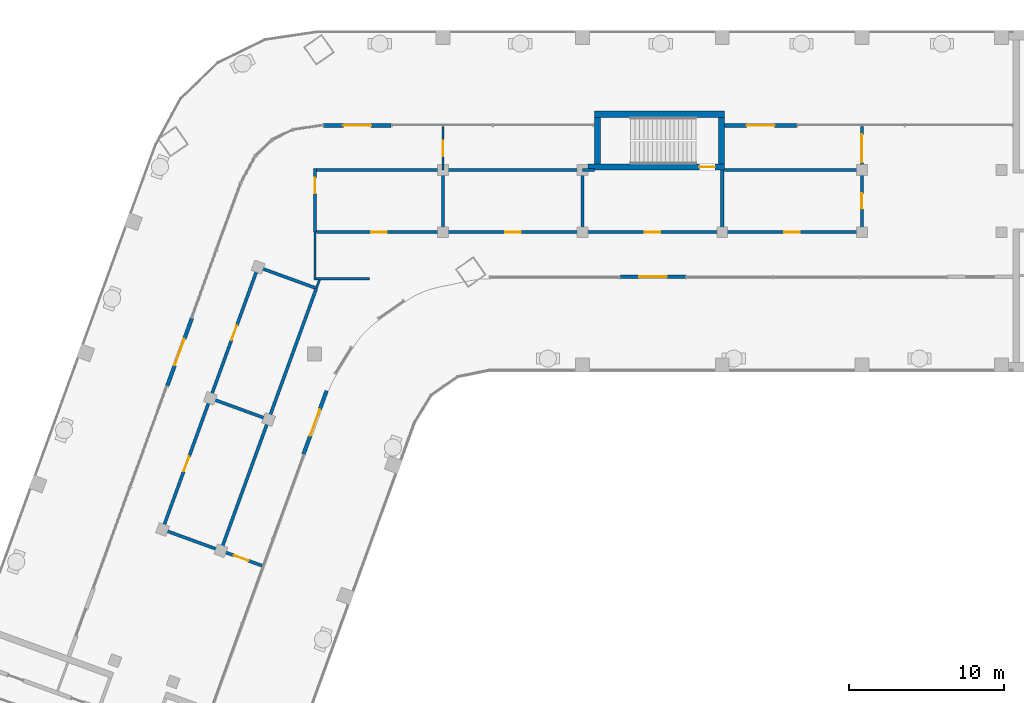
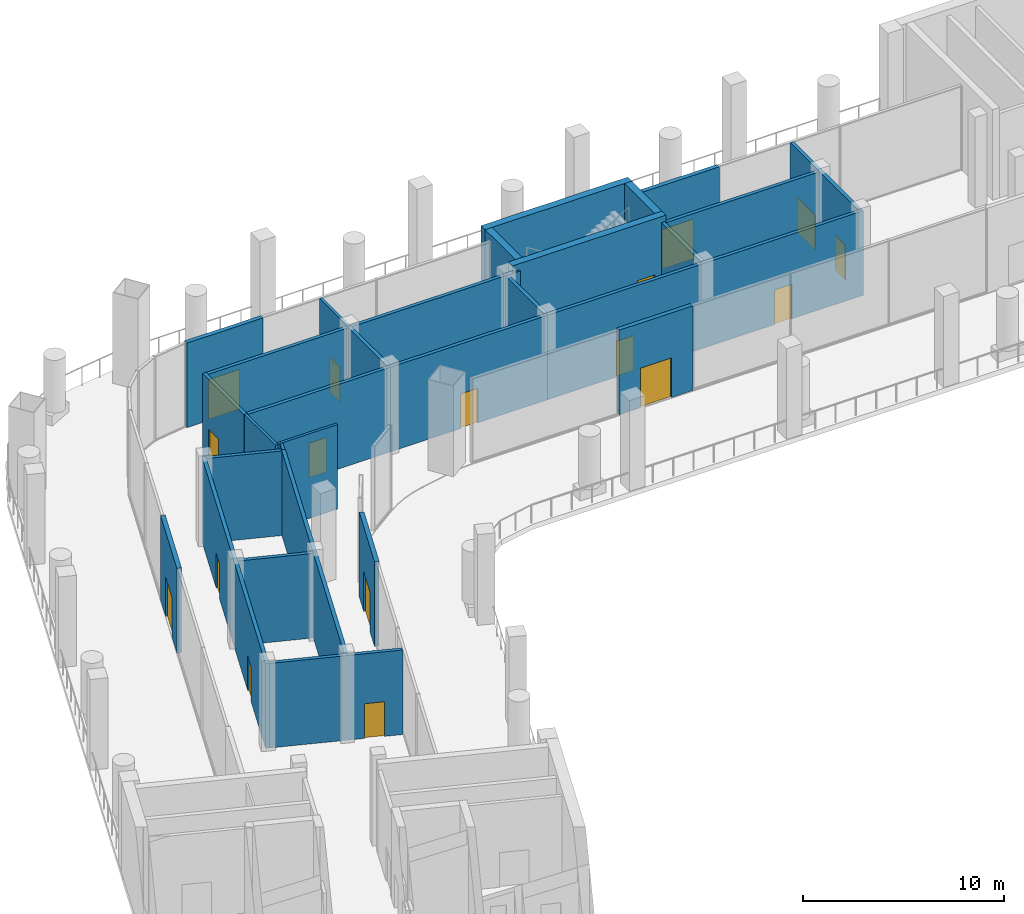
# One storey, part 10 of 19: 31 walls, 17 doors, 17 openings.
"""IFC4 building model written with IfcOpenShell, lengths in metres."""

from ifc_helpers import new_model, si_unit, direction, frame, frame_2d, origin, place, context, subcontext, project, spatial, rectangle, extrude, material, layer, layer_set, type_object, element, fill, save


model = new_model("IFC4")

# Units and contexts
model_context = context("Model", 3, precision=1e-05, world=origin(), true_north=direction((0.0, 1.0)))
body_context = subcontext(model_context, "Body", "Model", "MODEL_VIEW")
ifc_project = project(units=[si_unit("LENGTHUNIT", "METRE"), si_unit("AREAUNIT", "SQUARE_METRE"), si_unit("VOLUMEUNIT", "CUBIC_METRE"), si_unit("PLANEANGLEUNIT", "RADIAN"), si_unit("MASSUNIT", "GRAM", prefix="KILO")], contexts=[model_context])

# Site, building, storey
site_placement = place(None, origin())
site = spatial("IfcSite", under=ifc_project, at=site_placement, CompositionType="ELEMENT")
building_placement = place(site_placement, origin())
building = spatial("IfcBuilding", under=site, at=building_placement, Name="Skarvind Civic Tower", CompositionType="ELEMENT")
storey_placement = place(building_placement, frame((0.0, 0.0, 75.5)))
storey = spatial("IfcBuildingStorey", under=building, at=storey_placement, Name="L17", CompositionType="ELEMENT", Elevation=75.5)

# Wall, opening, door
ifc_material_1 = material(Name="Concrete C80", Category="concrete")
ifc_layer_1 = layer(ifc_material_1, 0.39990234375)
ifc_layer_set_1 = layer_set([ifc_layer_1], Name="Core wall 400 C80")
wall_type_1 = type_object("IfcWallType", Name="Core wall 400 C80", PredefinedType="SHEAR", material=ifc_layer_set_1)
wall_1_placement = place(storey_placement, frame((63.60009765625, 130.199951171875, 0.0), z_axis=(0.0, 0.0, 1.0), x_axis=(1.0, 0.0, 0.0)))
wall_1 = element("IfcWall", 1, at=wall_1_placement, inside=storey, type_object=wall_type_1, Name="Core wall CM inner L17", PredefinedType="SHEAR", context=body_context, shape_type="SweptSolid", body=[
    extrude(rectangle(XDim=8.7998046875, YDim=0.39990234375, at=frame_2d((4.39990234375, 0.0))), origin(), (0.0, 0.0, 1.0), 5.5),
])
opening_1_placement = place(wall_1_placement, frame((7.175048828125, 0.0, 0.0)))
opening_1 = element("IfcOpeningElement", 2, at=opening_1_placement, cuts=wall_1, Name="Opening D-L17-CM-01", PredefinedType="OPENING", context=body_context, shape_type="SweptSolid", body=[
    extrude(rectangle(XDim=1.0, YDim=2.10009765625, at=frame_2d((0.5, 1.050048828125))), frame((0.0, 0.2099609375, 0.0), z_axis=(0.0, -1.0, 0.0), x_axis=(1.0, 0.0, 0.0)), (0.0, 0.0, 1.0), 0.419921875),
])
ifc_material_2 = material(Name="Fire-rated steel door", Category="steel")
door_type_1 = type_object("IfcDoorType", Name="Fire door 1000", OperationType="NOTDEFINED", PredefinedType="DOOR", material=ifc_material_2)
door_1_placement = place(opening_1_placement, origin())
door_1 = element("IfcDoor", 3, at=door_1_placement, inside=storey, type_object=door_type_1, Name="Fire door", OperationType="SINGLE_SWING_LEFT", OverallHeight=2.10009765625, OverallWidth=1.0, PredefinedType="DOOR", context=body_context, shape_type="SweptSolid", body=[
    extrude(rectangle(XDim=1.0, YDim=2.10009765625, at=frame_2d((0.5, 1.050048828125))), frame((0.0, 0.02490234375, 0.0), z_axis=(0.0, -1.0, 0.0), x_axis=(1.0, 0.0, 0.0)), (0.0, 0.0, 1.0), 0.050048828125),
])
fill(opening_1, door_1)

# Walls
wall_2_placement = place(storey_placement, frame((64.0, 133.60009765625, 0.0), z_axis=(0.0, 0.0, 1.0), x_axis=(1.0, 0.0, 0.0)))
element("IfcWall", 4, at=wall_2_placement, inside=storey, type_object=wall_type_1, Name="Core wall CM outer L17", PredefinedType="SHEAR", context=body_context, shape_type="SweptSolid", body=[
    extrude(rectangle(XDim=8.39990234375, YDim=0.39990234375, at=frame_2d((4.199951171875, 0.0))), origin(), (0.0, 0.0, 1.0), 5.5),
])
for number, where, z_axis, x_axis, name in (
    (5, (64.199951171875, 130.39990234375, 0.0), (0.0, 0.0, 1.0), (0.0, 1.0, 0.0), "Core wall CM west L17"),
    (6, (72.199951171875, 130.39990234375, 0.0), (0.0, 0.0, 1.0), (0.0, 1.0, 0.0), "Core wall CM end L17"),
):
    element("IfcWall", number, at=place(storey_placement, frame(where, z_axis=z_axis, x_axis=x_axis)), inside=storey, type_object=wall_type_1, Name=name, PredefinedType="SHEAR", context=body_context, shape_type="SweptSolid", body=[
        extrude(rectangle(XDim=3.0, YDim=0.39990234375, at=frame_2d((1.5, 0.0))), origin(), (0.0, 0.0, 1.0), 5.5),
    ])
ifc_material_3 = material(Name="Fire-rated blockwork wall, plastered", Category="masonry")
ifc_layer_2 = layer(ifc_material_3, 0.199951171875)
ifc_layer_set_2 = layer_set([ifc_layer_2], Name="FIRE WALL 200 EI 120")
wall_type_2 = type_object("IfcWallType", Name="FIRE WALL 200 EI 120", PredefinedType="PARTITIONING", material=ifc_layer_set_2)
wall_3_placement = place(storey_placement, frame((54.25, 126.10009765625, 0.0), z_axis=(0.0, 0.0, 1.0), x_axis=(0.0, 1.0, 0.0)))
element("IfcWall", 7, at=wall_3_placement, inside=storey, type_object=wall_type_2, Name="Separator partition L17 013", PredefinedType="PARTITIONING", context=body_context, shape_type="SweptSolid", body=[
    extrude(rectangle(XDim=3.869873046875, YDim=0.199951171875, at=frame_2d((1.93505859375, 0.0))), origin(), (0.0, 0.0, 1.0), 5.125),
])

# Wall, opening, door
wall_4_placement = place(storey_placement, frame((54.25, 126.0, 0.0), z_axis=(0.0, 0.0, 1.0), x_axis=(1.0, 0.0, 0.0)))
wall_4 = element("IfcWall", 8, at=wall_4_placement, inside=storey, type_object=wall_type_2, Name="Separator partition L17 014", PredefinedType="PARTITIONING", context=body_context, shape_type="SweptSolid", body=[
    extrude(rectangle(XDim=9.0, YDim=0.199951171875, at=frame_2d((4.5, 0.0))), origin(), (0.0, 0.0, 1.0), 5.125),
])
opening_2_placement = place(wall_4_placement, frame((4.0, 0.0, 0.0)))
opening_2 = element("IfcOpeningElement", 9, at=opening_2_placement, cuts=wall_4, Name="Opening L17-D207", PredefinedType="OPENING", context=body_context, shape_type="SweptSolid", body=[
    extrude(rectangle(XDim=1.0, YDim=2.10009765625, at=frame_2d((0.5, 1.050048828125))), frame((0.0, 0.10986328125, 0.0), z_axis=(0.0, -1.0, 0.0), x_axis=(1.0, 0.0, 0.0)), (0.0, 0.0, 1.0), 0.219970703125),
])
ifc_material_4 = material(Name="Painted steel fire door leaf", Category="steel")
door_type_2 = type_object("IfcDoorType", Name="FIRE DOOR 1000X2100 STEEL", OperationType="NOTDEFINED", PredefinedType="DOOR", material=ifc_material_4)
door_2_placement = place(opening_2_placement, origin())
door_2 = element("IfcDoor", 10, at=door_2_placement, inside=storey, type_object=door_type_2, Name="FIRE DOOR", OperationType="SINGLE_SWING_LEFT", OverallHeight=2.10009765625, OverallWidth=1.0, PredefinedType="DOOR", context=body_context, shape_type="SweptSolid", body=[
    extrude(rectangle(XDim=1.0, YDim=2.10009765625, at=frame_2d((0.5, 1.050048828125))), frame((0.0, 0.02490234375, 0.0), z_axis=(0.0, -1.0, 0.0), x_axis=(1.0, 0.0, 0.0)), (0.0, 0.0, 1.0), 0.050048828125),
])
fill(opening_2, door_2)

# Walls
wall_5_placement = place(storey_placement, frame((54.25, 130.0, 0.0), z_axis=(0.0, 0.0, 1.0), x_axis=(1.0, 0.0, 0.0)))
element("IfcWall", 11, at=wall_5_placement, inside=storey, type_object=wall_type_2, Name="Separator partition L17 016", PredefinedType="PARTITIONING", context=body_context, shape_type="SweptSolid", body=[
    extrude(rectangle(XDim=9.0, YDim=0.199951171875, at=frame_2d((4.5, 0.0))), origin(), (0.0, 0.0, 1.0), 5.125),
])
wall_6_placement = place(storey_placement, frame((63.25, 126.10009765625, 0.0), z_axis=(0.0, 0.0, 1.0), x_axis=(0.0, 1.0, 0.0)))
element("IfcWall", 12, at=wall_6_placement, inside=storey, type_object=wall_type_2, Name="Separator partition L17 017", PredefinedType="PARTITIONING", context=body_context, shape_type="SweptSolid", body=[
    extrude(rectangle(XDim=3.7998046875, YDim=0.199951171875, at=frame_2d((1.89990234375, 0.0))), origin(), (0.0, 0.0, 1.0), 5.125),
])

# Wall, openings, doors
ifc_layer_3 = layer(ifc_material_3, 0.199951171875)
ifc_layer_set_3 = layer_set([ifc_layer_3], Name="FIRE WALL 200 EI 60")
wall_type_3 = type_object("IfcWallType", Name="FIRE WALL 200 EI 60", PredefinedType="PARTITIONING", material=ifc_layer_set_3)
wall_7_placement = place(storey_placement, frame((42.35888671875, 123.844970703125, 0.0), z_axis=(0.0, 0.0, 1.0), x_axis=(-0.341966001916, -0.939712324881, 0.0)))
wall_7 = element("IfcWall", 13, at=wall_7_placement, inside=storey, type_object=wall_type_3, Name="Separator partition L17 001", PredefinedType="PARTITIONING", context=body_context, shape_type="SweptSolid", body=[
    extrude(rectangle(XDim=18.2001953125, YDim=0.199951171875, at=frame_2d((9.10009765625, 0.0))), origin(), (0.0, 0.0, 1.0), 5.125),
])
opening_3_placement = place(wall_7_placement, frame((13.10107421875, 0.0, 0.0)))
opening_3 = element("IfcOpeningElement", 14, at=opening_3_placement, cuts=wall_7, Name="Opening L17-D201", PredefinedType="OPENING", context=body_context, shape_type="SweptSolid", body=[
    extrude(rectangle(XDim=1.0, YDim=2.10009765625, at=frame_2d((0.5, 1.050048828125))), frame((0.0, 0.10986328125, 0.0), z_axis=(0.0, -1.0, 0.0), x_axis=(1.0, 0.0, 0.0)), (0.0, 0.0, 1.0), 0.219970703125),
])
opening_4_placement = place(wall_7_placement, frame((4.10009765625, 0.0, 0.0)))
opening_4 = element("IfcOpeningElement", 15, at=opening_4_placement, cuts=wall_7, Name="Opening L17-D202", PredefinedType="OPENING", context=body_context, shape_type="SweptSolid", body=[
    extrude(rectangle(XDim=1.0, YDim=2.10009765625, at=frame_2d((0.5, 1.050048828125))), frame((0.0, 0.10986328125, 0.0), z_axis=(0.0, -1.0, 0.0), x_axis=(1.0, 0.0, 0.0)), (0.0, 0.0, 1.0), 0.219970703125),
])
door_3_placement = place(opening_3_placement, origin())
door_3 = element("IfcDoor", 16, at=door_3_placement, inside=storey, type_object=door_type_2, Name="FIRE DOOR", OperationType="SINGLE_SWING_LEFT", OverallHeight=2.10009765625, OverallWidth=1.0, PredefinedType="DOOR", context=body_context, shape_type="SweptSolid", body=[
    extrude(rectangle(XDim=1.0, YDim=2.10009765625, at=frame_2d((0.5, 1.050048828125))), frame((0.0, 0.02490234375, 0.0), z_axis=(0.0, -1.0, 0.0), x_axis=(1.0, 0.0, 0.0)), (0.0, 0.0, 1.0), 0.050048828125),
])
fill(opening_3, door_3)
door_4_placement = place(opening_4_placement, origin())
door_4 = element("IfcDoor", 17, at=door_4_placement, inside=storey, type_object=door_type_2, Name="FIRE DOOR", OperationType="SINGLE_SWING_RIGHT", OverallHeight=2.10009765625, OverallWidth=1.0, PredefinedType="DOOR", context=body_context, shape_type="SweptSolid", body=[
    extrude(rectangle(XDim=1.0, YDim=2.10009765625, at=frame_2d((0.5, 1.050048828125))), frame((0.0, 0.02490234375, 0.0), z_axis=(0.0, -1.0, 0.0), x_axis=(1.0, 0.0, 0.0)), (0.0, 0.0, 1.0), 0.050048828125),
])
fill(opening_4, door_4)

# Wall, opening, door
wall_8_placement = place(storey_placement, frame((36.262939453125, 106.802001953125, 0.0), z_axis=(0.0, 0.0, 1.0), x_axis=(0.939692599749, -0.342020201123, 0.0)))
wall_8 = element("IfcWall", 18, at=wall_8_placement, inside=storey, type_object=wall_type_3, Name="Separator partition L17 002", PredefinedType="PARTITIONING", context=body_context, shape_type="SweptSolid", body=[
    extrude(rectangle(XDim=6.71923828125, YDim=0.199951171875, at=frame_2d((3.359619140625, 0.0))), origin(), (0.0, 0.0, 1.0), 5.125),
])
opening_5_placement = place(wall_8_placement, frame((4.800048828125, 0.0, 0.0)))
opening_5 = element("IfcOpeningElement", 19, at=opening_5_placement, cuts=wall_8, Name="Opening L17-D203", PredefinedType="OPENING", context=body_context, shape_type="SweptSolid", body=[
    extrude(rectangle(XDim=1.0, YDim=2.10009765625, at=frame_2d((0.5, 1.050048828125))), frame((0.0, 0.10986328125, 0.0), z_axis=(0.0, -1.0, 0.0), x_axis=(1.0, 0.0, 0.0)), (0.0, 0.0, 1.0), 0.219970703125),
])
door_5_placement = place(opening_5_placement, origin())
door_5 = element("IfcDoor", 20, at=door_5_placement, inside=storey, type_object=door_type_2, Name="FIRE DOOR", OperationType="SINGLE_SWING_LEFT", OverallHeight=2.10009765625, OverallWidth=1.0, PredefinedType="DOOR", context=body_context, shape_type="SweptSolid", body=[
    extrude(rectangle(XDim=1.0, YDim=2.10009765625, at=frame_2d((0.5, 1.050048828125))), frame((0.0, 0.02490234375, 0.0), z_axis=(0.0, -1.0, 0.0), x_axis=(1.0, 0.0, 0.0)), (0.0, 0.0, 1.0), 0.050048828125),
])
fill(opening_5, door_5)

# Walls
wall_9_placement = place(storey_placement, frame((39.341064453125, 115.259033203125, 0.0), z_axis=(0.0, 0.0, 1.0), x_axis=(0.939667689469, -0.342088633789, 0.0)))
element("IfcWall", 21, at=wall_9_placement, inside=storey, type_object=wall_type_3, Name="Separator partition L17 003", PredefinedType="PARTITIONING", context=body_context, shape_type="SweptSolid", body=[
    extrude(rectangle(XDim=3.80029296875, YDim=0.199951171875, at=frame_2d((1.900146484375, 0.0))), origin(), (0.0, 0.0, 1.0), 5.125),
])
wall_10_placement = place(storey_placement, frame((39.9609375, 105.56201171875, 0.0), z_axis=(0.0, 0.0, 1.0), x_axis=(0.342146086239, 0.939646771756, 0.0)))
element("IfcWall", 22, at=wall_10_placement, inside=storey, type_object=wall_type_3, Name="Separator partition L17 004", PredefinedType="PARTITIONING", context=body_context, shape_type="SweptSolid", body=[
    extrude(rectangle(XDim=8.900146484375, YDim=0.199951171875, at=frame_2d((4.4501953125, 0.0))), origin(), (0.0, 0.0, 1.0), 5.125),
])
wall_11_placement = place(storey_placement, frame((42.4189453125, 123.717041015625, 0.0), z_axis=(0.0, 0.0, 1.0), x_axis=(0.939667689469, -0.342088633789, 0.0)))
element("IfcWall", 23, at=wall_11_placement, inside=storey, type_object=wall_type_3, Name="Separator partition L17 005", PredefinedType="PARTITIONING", context=body_context, shape_type="SweptSolid", body=[
    extrude(rectangle(XDim=3.80029296875, YDim=0.199951171875, at=frame_2d((1.900146484375, 0.0))), origin(), (0.0, 0.0, 1.0), 5.125),
])
wall_12_placement = place(storey_placement, frame((43.006103515625, 113.925048828125, 0.0), z_axis=(0.0, 0.0, 1.0), x_axis=(0.341963022424, 0.939713409128, 0.0)))
element("IfcWall", 24, at=wall_12_placement, inside=storey, type_object=wall_type_3, Name="Separator partition L17 006", PredefinedType="PARTITIONING", context=body_context, shape_type="SweptSolid", body=[
    extrude(rectangle(XDim=9.000732421875, YDim=0.199951171875, at=frame_2d((4.50048828125, 0.0))), origin(), (0.0, 0.0, 1.0), 5.125),
])

# Wall, opening, door
wall_13_placement = place(storey_placement, frame((46.0, 130.10009765625, 0.0), z_axis=(0.0, 0.0, 1.0), x_axis=(0.0, -1.0, 0.0)))
wall_13 = element("IfcWall", 25, at=wall_13_placement, inside=storey, type_object=wall_type_3, Name="Separator partition L17 009", PredefinedType="PARTITIONING", context=body_context, shape_type="SweptSolid", body=[
    extrude(rectangle(XDim=4.10009765625, YDim=0.199951171875, at=frame_2d((2.050048828125, 0.0))), origin(), (0.0, 0.0, 1.0), 5.125),
])
opening_6_placement = place(wall_13_placement, frame((0.60205078125, 0.0, 0.0)))
opening_6 = element("IfcOpeningElement", 26, at=opening_6_placement, cuts=wall_13, Name="Opening L17-D204", PredefinedType="OPENING", context=body_context, shape_type="SweptSolid", body=[
    extrude(rectangle(XDim=1.0, YDim=2.10009765625, at=frame_2d((0.5, 1.050048828125))), frame((0.0, 0.10986328125, 0.0), z_axis=(0.0, -1.0, 0.0), x_axis=(1.0, 0.0, 0.0)), (0.0, 0.0, 1.0), 0.219970703125),
])
door_6_placement = place(opening_6_placement, origin())
door_6 = element("IfcDoor", 27, at=door_6_placement, inside=storey, type_object=door_type_2, Name="FIRE DOOR", OperationType="SINGLE_SWING_RIGHT", OverallHeight=2.10009765625, OverallWidth=1.0, PredefinedType="DOOR", context=body_context, shape_type="SweptSolid", body=[
    extrude(rectangle(XDim=1.0, YDim=2.10009765625, at=frame_2d((0.5, 1.050048828125))), frame((0.0, 0.02490234375, 0.0), z_axis=(0.0, -1.0, 0.0), x_axis=(1.0, 0.0, 0.0)), (0.0, 0.0, 1.0), 0.050048828125),
])
fill(opening_6, door_6)

wall_14_placement = place(storey_placement, frame((46.10009765625, 126.0, 0.0), z_axis=(0.0, 0.0, 1.0), x_axis=(1.0, 0.0, 0.0)))
wall_14 = element("IfcWall", 28, at=wall_14_placement, inside=storey, type_object=wall_type_3, Name="Separator partition L17 010", PredefinedType="PARTITIONING", context=body_context, shape_type="SweptSolid", body=[
    extrude(rectangle(XDim=8.14990234375, YDim=0.199951171875, at=frame_2d((4.074951171875, 0.0))), origin(), (0.0, 0.0, 1.0), 5.125),
])
opening_7_placement = place(wall_14_placement, frame((3.52490234375, 0.0, 0.0)))
opening_7 = element("IfcOpeningElement", 29, at=opening_7_placement, cuts=wall_14, Name="Opening L17-D205", PredefinedType="OPENING", context=body_context, shape_type="SweptSolid", body=[
    extrude(rectangle(XDim=1.0, YDim=2.10009765625, at=frame_2d((0.5, 1.050048828125))), frame((0.0, 0.10986328125, 0.0), z_axis=(0.0, -1.0, 0.0), x_axis=(1.0, 0.0, 0.0)), (0.0, 0.0, 1.0), 0.219970703125),
])
door_7_placement = place(opening_7_placement, origin())
door_7 = element("IfcDoor", 30, at=door_7_placement, inside=storey, type_object=door_type_2, Name="FIRE DOOR", OperationType="SINGLE_SWING_RIGHT", OverallHeight=2.10009765625, OverallWidth=1.0, PredefinedType="DOOR", context=body_context, shape_type="SweptSolid", body=[
    extrude(rectangle(XDim=1.0, YDim=2.10009765625, at=frame_2d((0.5, 1.050048828125))), frame((0.0, 0.02490234375, 0.0), z_axis=(0.0, -1.0, 0.0), x_axis=(1.0, 0.0, 0.0)), (0.0, 0.0, 1.0), 0.050048828125),
])
fill(opening_7, door_7)

# Wall
wall_15_placement = place(storey_placement, frame((46.10009765625, 130.0, 0.0), z_axis=(0.0, 0.0, 1.0), x_axis=(1.0, 0.0, 0.0)))
element("IfcWall", 31, at=wall_15_placement, inside=storey, type_object=wall_type_3, Name="Separator partition L17 011", PredefinedType="PARTITIONING", context=body_context, shape_type="SweptSolid", body=[
    extrude(rectangle(XDim=8.14990234375, YDim=0.199951171875, at=frame_2d((4.074951171875, 0.0))), origin(), (0.0, 0.0, 1.0), 5.125),
])

# Wall, openings, doors
wall_16_placement = place(storey_placement, frame((63.25, 126.0, 0.0), z_axis=(0.0, 0.0, 1.0), x_axis=(1.0, 0.0, 0.0)))
wall_16 = element("IfcWall", 32, at=wall_16_placement, inside=storey, type_object=wall_type_3, Name="Separator partition L17 018", PredefinedType="PARTITIONING", context=body_context, shape_type="SweptSolid", body=[
    extrude(rectangle(XDim=18.10009765625, YDim=0.199951171875, at=frame_2d((9.050048828125, 0.0))), origin(), (0.0, 0.0, 1.0), 5.125),
])
opening_8_placement = place(wall_16_placement, frame((4.0, 0.0, 0.0)))
opening_8 = element("IfcOpeningElement", 33, at=opening_8_placement, cuts=wall_16, Name="Opening L17-D208", PredefinedType="OPENING", context=body_context, shape_type="SweptSolid", body=[
    extrude(rectangle(XDim=1.0, YDim=2.10009765625, at=frame_2d((0.5, 1.050048828125))), frame((0.0, 0.10986328125, 0.0), z_axis=(0.0, -1.0, 0.0), x_axis=(1.0, 0.0, 0.0)), (0.0, 0.0, 1.0), 0.219970703125),
])
opening_9_placement = place(wall_16_placement, frame((13.0, 0.0, 0.0)))
opening_9 = element("IfcOpeningElement", 34, at=opening_9_placement, cuts=wall_16, Name="Opening L17-D209", PredefinedType="OPENING", context=body_context, shape_type="SweptSolid", body=[
    extrude(rectangle(XDim=1.0, YDim=2.10009765625, at=frame_2d((0.5, 1.050048828125))), frame((0.0, 0.10986328125, 0.0), z_axis=(0.0, -1.0, 0.0), x_axis=(1.0, 0.0, 0.0)), (0.0, 0.0, 1.0), 0.219970703125),
])
door_8_placement = place(opening_8_placement, origin())
door_8 = element("IfcDoor", 35, at=door_8_placement, inside=storey, type_object=door_type_2, Name="FIRE DOOR", OperationType="SINGLE_SWING_RIGHT", OverallHeight=2.10009765625, OverallWidth=1.0, PredefinedType="DOOR", context=body_context, shape_type="SweptSolid", body=[
    extrude(rectangle(XDim=1.0, YDim=2.10009765625, at=frame_2d((0.5, 1.050048828125))), frame((0.0, 0.02490234375, 0.0), z_axis=(0.0, -1.0, 0.0), x_axis=(1.0, 0.0, 0.0)), (0.0, 0.0, 1.0), 0.050048828125),
])
fill(opening_8, door_8)
door_9_placement = place(opening_9_placement, origin())
door_9 = element("IfcDoor", 36, at=door_9_placement, inside=storey, type_object=door_type_2, Name="FIRE DOOR", OperationType="SINGLE_SWING_LEFT", OverallHeight=2.10009765625, OverallWidth=1.0, PredefinedType="DOOR", context=body_context, shape_type="SweptSolid", body=[
    extrude(rectangle(XDim=1.0, YDim=2.10009765625, at=frame_2d((0.5, 1.050048828125))), frame((0.0, 0.02490234375, 0.0), z_axis=(0.0, -1.0, 0.0), x_axis=(1.0, 0.0, 0.0)), (0.0, 0.0, 1.0), 0.050048828125),
])
fill(opening_9, door_9)

# Walls
wall_17_placement = place(storey_placement, frame((63.25, 130.0, 0.0), z_axis=(0.0, 0.0, 1.0), x_axis=(1.0, 0.0, 0.0)))
element("IfcWall", 37, at=wall_17_placement, inside=storey, type_object=wall_type_3, Name="Separator partition L17 019", PredefinedType="PARTITIONING", context=body_context, shape_type="SweptSolid", body=[
    extrude(rectangle(XDim=0.75, YDim=0.199951171875, at=frame_2d((0.375, 0.0))), origin(), (0.0, 0.0, 1.0), 5.125),
])
wall_18_placement = place(storey_placement, frame((72.25, 126.10009765625, 0.0), z_axis=(0.0, 0.0, 1.0), x_axis=(0.0, 1.0, 0.0)))
element("IfcWall", 38, at=wall_18_placement, inside=storey, type_object=wall_type_3, Name="Separator partition L17 020", PredefinedType="PARTITIONING", context=body_context, shape_type="SweptSolid", body=[
    extrude(rectangle(XDim=3.89990234375, YDim=0.199951171875, at=frame_2d((1.949951171875, 0.0))), origin(), (0.0, 0.0, 1.0), 5.125),
])
wall_19_placement = place(storey_placement, frame((72.39990234375, 130.0, 0.0), z_axis=(0.0, 0.0, 1.0), x_axis=(1.0, 0.0, 0.0)))
element("IfcWall", 39, at=wall_19_placement, inside=storey, type_object=wall_type_3, Name="Separator partition L17 021", PredefinedType="PARTITIONING", context=body_context, shape_type="SweptSolid", body=[
    extrude(rectangle(XDim=8.75, YDim=0.199951171875, at=frame_2d((4.375, 0.0))), origin(), (0.0, 0.0, 1.0), 5.125),
])

# Wall, openings, doors
wall_20_placement = place(storey_placement, frame((81.25, 126.10009765625, 0.0), z_axis=(0.0, 0.0, 1.0), x_axis=(0.0, 1.0, 0.0)))
wall_20 = element("IfcWall", 40, at=wall_20_placement, inside=storey, type_object=wall_type_3, Name="Separator partition L17 022", PredefinedType="PARTITIONING", context=body_context, shape_type="SweptSolid", body=[
    extrude(rectangle(XDim=6.719970703125, YDim=0.199951171875, at=frame_2d((3.35986328125, 0.0))), origin(), (0.0, 0.0, 1.0), 5.125),
])
opening_10_placement = place(wall_20_placement, frame((1.39990234375, 0.0, 0.0)))
opening_10 = element("IfcOpeningElement", 41, at=opening_10_placement, cuts=wall_20, Name="Opening L17-D210", PredefinedType="OPENING", context=body_context, shape_type="SweptSolid", body=[
    extrude(rectangle(XDim=1.0, YDim=2.10009765625, at=frame_2d((0.5, 1.050048828125))), frame((0.0, 0.10986328125, 0.0), z_axis=(0.0, -1.0, 0.0), x_axis=(1.0, 0.0, 0.0)), (0.0, 0.0, 1.0), 0.219970703125),
])
opening_11_placement = place(wall_20_placement, frame((4.39990234375, 0.0, 0.0)))
opening_11 = element("IfcOpeningElement", 42, at=opening_11_placement, cuts=wall_20, Name="Opening L17-D211", PredefinedType="OPENING", context=body_context, shape_type="SweptSolid", body=[
    extrude(rectangle(XDim=1.800048828125, YDim=2.10009765625, at=frame_2d((0.89990234375, 1.050048828125))), frame((0.0, 0.10986328125, 0.0), z_axis=(0.0, -1.0, 0.0), x_axis=(1.0, 0.0, 0.0)), (0.0, 0.0, 1.0), 0.219970703125),
])
door_10_placement = place(opening_10_placement, origin())
door_10 = element("IfcDoor", 43, at=door_10_placement, inside=storey, type_object=door_type_2, Name="FIRE DOOR", OperationType="SINGLE_SWING_RIGHT", OverallHeight=2.10009765625, OverallWidth=1.0, PredefinedType="DOOR", context=body_context, shape_type="SweptSolid", body=[
    extrude(rectangle(XDim=1.0, YDim=2.10009765625, at=frame_2d((0.5, 1.050048828125))), frame((0.0, 0.02490234375, 0.0), z_axis=(0.0, -1.0, 0.0), x_axis=(1.0, 0.0, 0.0)), (0.0, 0.0, 1.0), 0.050048828125),
])
fill(opening_10, door_10)
door_type_3 = type_object("IfcDoorType", Name="FIRE DOOR 1800X2100 DOUBLE STEEL", OperationType="NOTDEFINED", PredefinedType="DOOR", material=ifc_material_4)
door_11_placement = place(opening_11_placement, origin())
door_11 = element("IfcDoor", 44, at=door_11_placement, inside=storey, type_object=door_type_3, Name="FIRE DOOR", OperationType="DOUBLE_DOOR_SINGLE_SWING", OverallHeight=2.10009765625, OverallWidth=1.800048828125, PredefinedType="DOOR", context=body_context, shape_type="SweptSolid", body=[
    extrude(rectangle(XDim=1.800048828125, YDim=2.10009765625, at=frame_2d((0.89990234375, 1.050048828125))), frame((0.0, 0.02490234375, 0.0), z_axis=(0.0, -1.0, 0.0), x_axis=(1.0, 0.0, 0.0)), (0.0, 0.0, 1.0), 0.050048828125),
])
fill(opening_11, door_11)

# Walls
ifc_material_5 = material(Name="Plasterboard partition on steel studs", Category="steel")
ifc_layer_4 = layer(ifc_material_5, 0.14990234375)
ifc_layer_set_4 = layer_set([ifc_layer_4], Name="PARTITION 150")
wall_type_4 = type_object("IfcWallType", Name="PARTITION 150", PredefinedType="PARTITIONING", material=ifc_layer_set_4)
wall_21_placement = place(storey_placement, frame((46.0, 122.925048828125, 0.0), z_axis=(0.0, 0.0, 1.0), x_axis=(0.0, 1.0, 0.0)))
element("IfcWall", 45, at=wall_21_placement, inside=storey, type_object=wall_type_4, Name="Separator partition L17 007", PredefinedType="PARTITIONING", context=body_context, shape_type="SweptSolid", body=[
    extrude(rectangle(XDim=3.074951171875, YDim=0.14990234375, at=frame_2d((1.53759765625, 0.0))), origin(), (0.0, 0.0, 1.0), 5.125),
])
wall_22_placement = place(storey_placement, frame((46.074951171875, 123.0, 0.0), z_axis=(0.0, 0.0, 1.0), x_axis=(1.0, 0.0, 0.0)))
element("IfcWall", 46, at=wall_22_placement, inside=storey, type_object=wall_type_4, Name="Separator partition L17 008", PredefinedType="PARTITIONING", context=body_context, shape_type="SweptSolid", body=[
    extrude(rectangle(XDim=3.426025390625, YDim=0.14990234375, at=frame_2d((1.712890625, 0.0))), origin(), (0.0, 0.0, 1.0), 5.125),
])
wall_23_placement = place(storey_placement, frame((46.083984375, 122.383056640625, 0.0), z_axis=(0.0, 0.0, 1.0), x_axis=(0.343135526399, 0.939285904569, 0.0)))
element("IfcWall", 47, at=wall_23_placement, inside=storey, type_object=wall_type_4, Name="Separator partition L17 012", PredefinedType="PARTITIONING", context=body_context, shape_type="SweptSolid", body=[
    extrude(rectangle(XDim=0.576904296875, YDim=0.14990234375, at=frame_2d((0.28857421875, 0.0))), origin(), (0.0, 0.0, 1.0), 5.125),
])

# Wall, opening, door
wall_24_placement = place(storey_placement, frame((54.25, 130.0, 0.0), z_axis=(0.0, 0.0, 1.0), x_axis=(0.0, 1.0, 0.0)))
wall_24 = element("IfcWall", 48, at=wall_24_placement, inside=storey, type_object=wall_type_4, Name="Separator partition L17 015", PredefinedType="PARTITIONING", context=body_context, shape_type="SweptSolid", body=[
    extrude(rectangle(XDim=2.820068359375, YDim=0.14990234375, at=frame_2d((1.41015625, 0.0))), origin(), (0.0, 0.0, 1.0), 5.125),
])
opening_12_placement = place(wall_24_placement, frame((0.89990234375, 0.0, 0.0)))
opening_12 = element("IfcOpeningElement", 49, at=opening_12_placement, cuts=wall_24, Name="Opening L17-D206", PredefinedType="OPENING", context=body_context, shape_type="SweptSolid", body=[
    extrude(rectangle(XDim=1.0, YDim=2.10009765625, at=frame_2d((0.5, 1.050048828125))), frame((0.0, 0.0849609375, 0.0), z_axis=(0.0, -1.0, 0.0), x_axis=(1.0, 0.0, 0.0)), (0.0, 0.0, 1.0), 0.169921875),
])
ifc_material_6 = material(Name="Timber veneer door leaf", Category="wood")
door_type_4 = type_object("IfcDoorType", Name="DOOR 1000X2100 TIMBER", OperationType="NOTDEFINED", PredefinedType="DOOR", material=ifc_material_6)
door_12_placement = place(opening_12_placement, origin())
door_12 = element("IfcDoor", 50, at=door_12_placement, inside=storey, type_object=door_type_4, Name="DOOR DOOR", OperationType="SINGLE_SWING_LEFT", OverallHeight=2.10009765625, OverallWidth=1.0, PredefinedType="DOOR", context=body_context, shape_type="SweptSolid", body=[
    extrude(rectangle(XDim=1.0, YDim=2.10009765625, at=frame_2d((0.5, 1.050048828125))), frame((0.0, 0.02490234375, 0.0), z_axis=(0.0, -1.0, 0.0), x_axis=(1.0, 0.0, 0.0)), (0.0, 0.0, 1.0), 0.050048828125),
])
fill(opening_12, door_12)

ifc_material_7 = material(Name="Limestone masonry cladding on insulated backing", Category="masonry")
ifc_layer_5 = layer(ifc_material_7, 0.239990234375)
ifc_layer_set_5 = layer_set([ifc_layer_5], Name="WX4 STONE DOOR PIER WALL 240")
wall_type_5 = type_object("IfcWallType", Name="WX4 STONE DOOR PIER WALL 240", PredefinedType="SOLIDWALL", material=ifc_layer_set_5)
wall_25_placement = place(storey_placement, frame((46.7431640625, 115.7734375, 0.0), z_axis=(0.0, 0.0, 1.0), x_axis=(-0.342004232448, -0.939698411719, 0.0)))
wall_25 = element("IfcWall", 51, at=wall_25_placement, inside=storey, type_object=wall_type_5, Name="STONE DOOR PIER WALL", PredefinedType="SOLIDWALL", context=body_context, shape_type="SweptSolid", body=[
    extrude(rectangle(XDim=4.35302734375, YDim=0.239990234375, at=frame_2d((2.176513671875, 0.0))), origin(), (0.0, 0.0, 1.0), 5.125),
])
opening_13_placement = place(wall_25_placement, frame((1.276611328125, 0.0, 0.0)))
opening_13 = element("IfcOpeningElement", 52, at=opening_13_placement, cuts=wall_25, Name="Opening DX3", PredefinedType="OPENING", context=body_context, shape_type="SweptSolid", body=[
    extrude(rectangle(XDim=1.800048828125, YDim=2.39990234375, at=frame_2d((0.89990234375, 1.199951171875))), frame((0.0, 0.1298828125, 0.0), z_axis=(0.0, -1.0, 0.0), x_axis=(1.0, 0.0, 0.0)), (0.0, 0.0, 1.0), 0.260009765625),
])
ifc_material_8 = material(Name="Timber and glass doorset", Category="wood")
door_type_5 = type_object("IfcDoorType", Name="DX3 TERRACE DOORS 1800 x 2400", OperationType="NOTDEFINED", PredefinedType="DOOR", material=ifc_material_8)
door_13_placement = place(opening_13_placement, origin())
door_13 = element("IfcDoor", 53, at=door_13_placement, inside=storey, type_object=door_type_5, Name="TERRACE DOORS", OperationType="DOUBLE_DOOR_SINGLE_SWING", OverallHeight=2.39990234375, OverallWidth=1.800048828125, PredefinedType="DOOR", context=body_context, shape_type="SweptSolid", body=[
    extrude(rectangle(XDim=1.800048828125, YDim=2.39990234375, at=frame_2d((0.89990234375, 1.199951171875))), frame((0.0, 0.02490234375, 0.0), z_axis=(0.0, -1.0, 0.0), x_axis=(1.0, 0.0, 0.0)), (0.0, 0.0, 1.0), 0.050048828125),
])
fill(opening_13, door_13)

wall_26_placement = place(storey_placement, frame((69.89697265625, 123.1201171875, 0.0), z_axis=(0.0, 0.0, 1.0), x_axis=(-1.0, 0.0, 0.0)))
wall_26 = element("IfcWall", 54, at=wall_26_placement, inside=storey, type_object=wall_type_5, Name="STONE DOOR PIER WALL", PredefinedType="SOLIDWALL", context=body_context, shape_type="SweptSolid", body=[
    extrude(rectangle(XDim=4.220703125, YDim=0.239990234375, at=frame_2d((2.1103515625, 0.0))), origin(), (0.0, 0.0, 1.0), 5.125),
])
opening_14_placement = place(wall_26_placement, frame((1.210205078125, 0.0, 0.0)))
opening_14 = element("IfcOpeningElement", 55, at=opening_14_placement, cuts=wall_26, Name="Opening DX3", PredefinedType="OPENING", context=body_context, shape_type="SweptSolid", body=[
    extrude(rectangle(XDim=1.800048828125, YDim=2.39990234375, at=frame_2d((0.89990234375, 1.199951171875))), frame((0.0, 0.1298828125, 0.0), z_axis=(0.0, -1.0, 0.0), x_axis=(1.0, 0.0, 0.0)), (0.0, 0.0, 1.0), 0.260009765625),
])
door_14_placement = place(opening_14_placement, origin())
door_14 = element("IfcDoor", 56, at=door_14_placement, inside=storey, type_object=door_type_5, Name="TERRACE DOORS", OperationType="DOUBLE_DOOR_SINGLE_SWING", OverallHeight=2.39990234375, OverallWidth=1.800048828125, PredefinedType="DOOR", context=body_context, shape_type="SweptSolid", body=[
    extrude(rectangle(XDim=1.800048828125, YDim=2.39990234375, at=frame_2d((0.89990234375, 1.199951171875))), frame((0.0, 0.02490234375, 0.0), z_axis=(0.0, -1.0, 0.0), x_axis=(1.0, 0.0, 0.0)), (0.0, 0.0, 1.0), 0.050048828125),
])
fill(opening_14, door_14)

wall_27_placement = place(storey_placement, frame((72.39990234375, 132.8798828125, 0.0), z_axis=(0.0, 0.0, 1.0), x_axis=(1.0, 0.0, 0.0)))
wall_27 = element("IfcWall", 57, at=wall_27_placement, inside=storey, type_object=wall_type_5, Name="STONE DOOR PIER WALL", PredefinedType="SOLIDWALL", context=body_context, shape_type="SweptSolid", body=[
    extrude(rectangle(XDim=4.650146484375, YDim=0.239990234375, at=frame_2d((2.3251953125, 0.0))), origin(), (0.0, 0.0, 1.0), 5.125),
])
opening_15_placement = place(wall_27_placement, frame((1.425048828125, 0.0, 0.0)))
opening_15 = element("IfcOpeningElement", 58, at=opening_15_placement, cuts=wall_27, Name="Opening DX3", PredefinedType="OPENING", context=body_context, shape_type="SweptSolid", body=[
    extrude(rectangle(XDim=1.800048828125, YDim=2.39990234375, at=frame_2d((0.89990234375, 1.199951171875))), frame((0.0, 0.1298828125, 0.0), z_axis=(0.0, -1.0, 0.0), x_axis=(1.0, 0.0, 0.0)), (0.0, 0.0, 1.0), 0.260009765625),
])
door_15_placement = place(opening_15_placement, origin())
door_15 = element("IfcDoor", 59, at=door_15_placement, inside=storey, type_object=door_type_5, Name="TERRACE DOORS", OperationType="DOUBLE_DOOR_SINGLE_SWING", OverallHeight=2.39990234375, OverallWidth=1.800048828125, PredefinedType="DOOR", context=body_context, shape_type="SweptSolid", body=[
    extrude(rectangle(XDim=1.800048828125, YDim=2.39990234375, at=frame_2d((0.89990234375, 1.199951171875))), frame((0.0, 0.02490234375, 0.0), z_axis=(0.0, -1.0, 0.0), x_axis=(1.0, 0.0, 0.0)), (0.0, 0.0, 1.0), 0.050048828125),
])
fill(opening_15, door_15)

wall_28_placement = place(storey_placement, frame((46.539306640625, 132.8798828125, 0.0), z_axis=(0.0, 0.0, 1.0), x_axis=(1.0, 0.0, 0.0)))
wall_28 = element("IfcWall", 60, at=wall_28_placement, inside=storey, type_object=wall_type_5, Name="STONE DOOR PIER WALL", PredefinedType="SOLIDWALL", context=body_context, shape_type="SweptSolid", body=[
    extrude(rectangle(XDim=4.364990234375, YDim=0.239990234375, at=frame_2d((2.1826171875, 0.0))), origin(), (0.0, 0.0, 1.0), 5.125),
])
opening_16_placement = place(wall_28_placement, frame((1.28271484375, 0.0, 0.0)))
opening_16 = element("IfcOpeningElement", 61, at=opening_16_placement, cuts=wall_28, Name="Opening DX3", PredefinedType="OPENING", context=body_context, shape_type="SweptSolid", body=[
    extrude(rectangle(XDim=1.800048828125, YDim=2.39990234375, at=frame_2d((0.89990234375, 1.199951171875))), frame((0.0, 0.1298828125, 0.0), z_axis=(0.0, -1.0, 0.0), x_axis=(1.0, 0.0, 0.0)), (0.0, 0.0, 1.0), 0.260009765625),
])
door_16_placement = place(opening_16_placement, origin())
door_16 = element("IfcDoor", 62, at=door_16_placement, inside=storey, type_object=door_type_5, Name="TERRACE DOORS", OperationType="DOUBLE_DOOR_SINGLE_SWING", OverallHeight=2.39990234375, OverallWidth=1.800048828125, PredefinedType="DOOR", context=body_context, shape_type="SweptSolid", body=[
    extrude(rectangle(XDim=1.800048828125, YDim=2.39990234375, at=frame_2d((0.89990234375, 1.199951171875))), frame((0.0, 0.02490234375, 0.0), z_axis=(0.0, -1.0, 0.0), x_axis=(1.0, 0.0, 0.0)), (0.0, 0.0, 1.0), 0.050048828125),
])
fill(opening_16, door_16)

wall_29_placement = place(storey_placement, frame((36.4716796875, 116.089599609375, 0.0), z_axis=(0.0, 0.0, 1.0), x_axis=(0.342043168136, 0.939684240121, 0.0)))
wall_29 = element("IfcWall", 63, at=wall_29_placement, inside=storey, type_object=wall_type_5, Name="STONE DOOR PIER WALL", PredefinedType="SOLIDWALL", context=body_context, shape_type="SweptSolid", body=[
    extrude(rectangle(XDim=4.637451171875, YDim=0.239990234375, at=frame_2d((2.31884765625, 0.0))), origin(), (0.0, 0.0, 1.0), 5.125),
])
opening_17_placement = place(wall_29_placement, frame((1.418701171875, 0.0, 0.0)))
opening_17 = element("IfcOpeningElement", 64, at=opening_17_placement, cuts=wall_29, Name="Opening DX3", PredefinedType="OPENING", context=body_context, shape_type="SweptSolid", body=[
    extrude(rectangle(XDim=1.800048828125, YDim=2.39990234375, at=frame_2d((0.89990234375, 1.199951171875))), frame((0.0, 0.1298828125, 0.0), z_axis=(0.0, -1.0, 0.0), x_axis=(1.0, 0.0, 0.0)), (0.0, 0.0, 1.0), 0.260009765625),
])
door_17_placement = place(opening_17_placement, origin())
door_17 = element("IfcDoor", 65, at=door_17_placement, inside=storey, type_object=door_type_5, Name="TERRACE DOORS", OperationType="DOUBLE_DOOR_SINGLE_SWING", OverallHeight=2.39990234375, OverallWidth=1.800048828125, PredefinedType="DOOR", context=body_context, shape_type="SweptSolid", body=[
    extrude(rectangle(XDim=1.800048828125, YDim=2.39990234375, at=frame_2d((0.89990234375, 1.199951171875))), frame((0.0, 0.02490234375, 0.0), z_axis=(0.0, -1.0, 0.0), x_axis=(1.0, 0.0, 0.0)), (0.0, 0.0, 1.0), 0.050048828125),
])
fill(opening_17, door_17)

save(model, "model.ifc")
